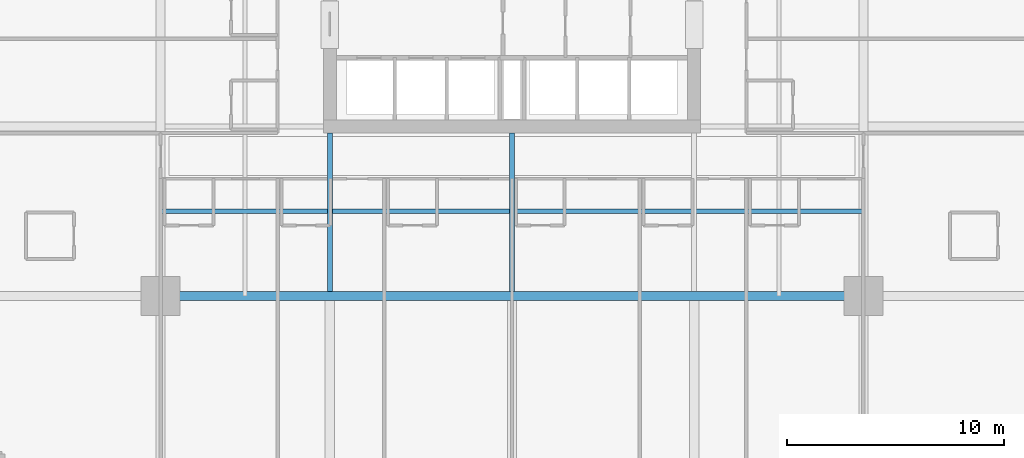
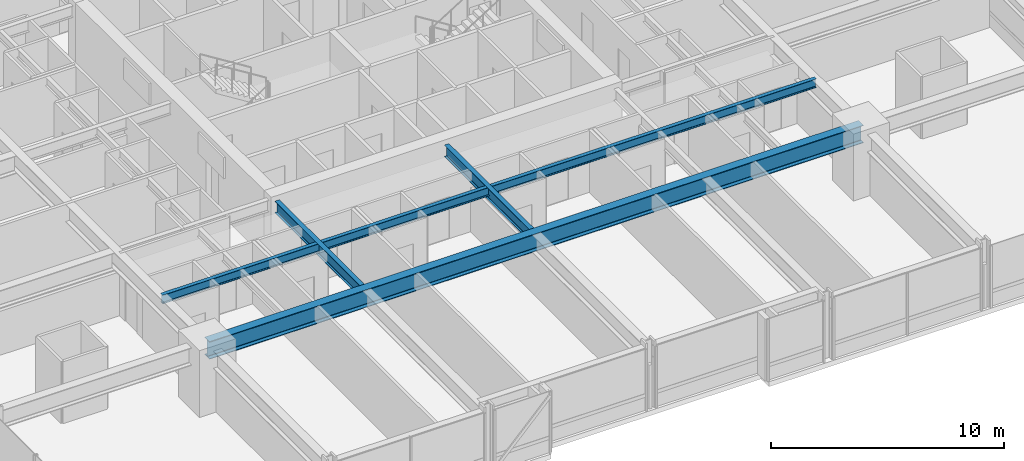
# One storey, part 6 of 42: 4 beams.
"""IFC4 building model written with IfcOpenShell, lengths in metres."""

from ifc_helpers import new_model, si_unit, direction, frame, origin, origin_2d, place, context, subcontext, project, spatial, i_section, extrude, material, material_profile, profile_set, type_object, element, save


model = new_model("IFC4")

# Units and contexts
model_context = context("Model", 3, precision=1e-05, world=origin(), true_north=direction((0.0, 1.0)))
body_context = subcontext(model_context, "Body", "Model", "MODEL_VIEW")
ifc_project = project(units=[si_unit("LENGTHUNIT", "METRE"), si_unit("AREAUNIT", "SQUARE_METRE"), si_unit("VOLUMEUNIT", "CUBIC_METRE"), si_unit("PLANEANGLEUNIT", "RADIAN"), si_unit("MASSUNIT", "GRAM", prefix="KILO")], contexts=[model_context])

# Site, building, storey
site_placement = place(None, origin())
site = spatial("IfcSite", under=ifc_project, at=site_placement, CompositionType="ELEMENT")
building_placement = place(site_placement, origin())
building = spatial("IfcBuilding", under=site, at=building_placement, Name="Drelvath Grand Hotel", CompositionType="ELEMENT")
storey_placement = place(building_placement, frame((0.0, 0.0, 33.199951171875)))
storey = spatial("IfcBuildingStorey", under=building, at=storey_placement, Name="L06", CompositionType="ELEMENT", Elevation=33.199951171875)

# Beams
ifc_material = material(Name="Steel ASTM A992 Gr 50", Category="steel")
ifc_material_profile_1 = material_profile(ifc_material, i_section(OverallWidth=0.19140625, OverallDepth=0.4599609375, WebThickness=0.010009765625, FlangeThickness=0.01611328125, FilletRadius=0.01611328125, at=origin_2d()), Name="W18X55")
ifc_profile_set_1 = profile_set([ifc_material_profile_1], Name="Steel ASTM A992 Gr 50")
beam_type_1 = type_object("IfcBeamType", Name="Composite Floor Joist W18X55", PredefinedType="JOIST", material=ifc_profile_set_1)
beam_1_placement = place(storey_placement, frame((-16.199951171875, 14.699951171875, 3.010009765625), z_axis=(1.0, 0.0, 0.0), x_axis=(0.0, 1.0, 0.0)))
element("IfcBeam", 1, at=beam_1_placement, inside=storey, type_object=beam_type_1, Name="L06 Floor Joist J1", PredefinedType="JOIST", context=body_context, shape_type="SweptSolid", body=[
    extrude(i_section(OverallWidth=0.19140625, OverallDepth=0.4599609375, WebThickness=0.010009765625, FlangeThickness=0.01611328125, FilletRadius=0.01611328125, at=origin_2d()), origin(), (0.0, 0.0, 1.0), 32.39990234375),
])
ifc_material_profile_2 = material_profile(ifc_material, i_section(OverallWidth=0.228271484375, OverallDepth=0.607666015625, WebThickness=0.01123046875, FlangeThickness=0.017333984375, FilletRadius=0.02001953125, at=origin_2d()), Name="W24X76")
ifc_profile_set_2 = profile_set([ifc_material_profile_2], Name="Steel ASTM A992 Gr 50")
beam_type_2 = type_object("IfcBeamType", Name="Primary Floor Girder W24X76", PredefinedType="BEAM", material=ifc_profile_set_2)
for number, where, z_axis, x_axis, name in (
    (2, (-8.39990234375, 11.00927734375, 2.936279296875), (0.0, 1.0, 0.0), (-1.0, 0.0, 0.0), "L06 South Core Tie 4"),
    (3, (0.0, 11.00927734375, 2.936279296875), (0.0, 1.0, 0.0), (-1.0, 0.0, 0.0), "L06 South Core Tie 5"),
):
    element("IfcBeam", number, at=place(storey_placement, frame(where, z_axis=z_axis, x_axis=x_axis)), inside=storey, type_object=beam_type_2, Name=name, PredefinedType="BEAM", context=body_context, shape_type="SweptSolid", body=[
        extrude(i_section(OverallWidth=0.228271484375, OverallDepth=0.607666015625, WebThickness=0.01123046875, FlangeThickness=0.017333984375, FilletRadius=0.02001953125, at=origin_2d()), origin(), (0.0, 0.0, 1.0), 7.290771484375),
    ])
ifc_material_profile_3 = material_profile(ifc_material, i_section(OverallWidth=0.418212890625, OverallDepth=0.926513671875, WebThickness=0.019287109375, FlangeThickness=0.031982421875, FilletRadius=0.028076171875, at=origin_2d()), Name="W36X231")
ifc_profile_set_3 = profile_set([ifc_material_profile_3], Name="Steel ASTM A992 Gr 50")
beam_type_3 = type_object("IfcBeamType", Name="Primary Floor Girder W36X231", PredefinedType="BEAM", material=ifc_profile_set_3)
beam_2_placement = place(storey_placement, frame((-16.199951171875, 10.800048828125, 2.77685546875), z_axis=(1.0, 0.0, 0.0), x_axis=(0.0, 1.0, 0.0)))
element("IfcBeam", 4, at=beam_2_placement, inside=storey, type_object=beam_type_3, Name="L06 Mega Ring Girder South", PredefinedType="BEAM", context=body_context, shape_type="SweptSolid", body=[
    extrude(i_section(OverallWidth=0.418212890625, OverallDepth=0.926513671875, WebThickness=0.019287109375, FlangeThickness=0.031982421875, FilletRadius=0.028076171875, at=origin_2d()), origin(), (0.0, 0.0, 1.0), 32.39990234375),
])

save(model, "model.ifc")
